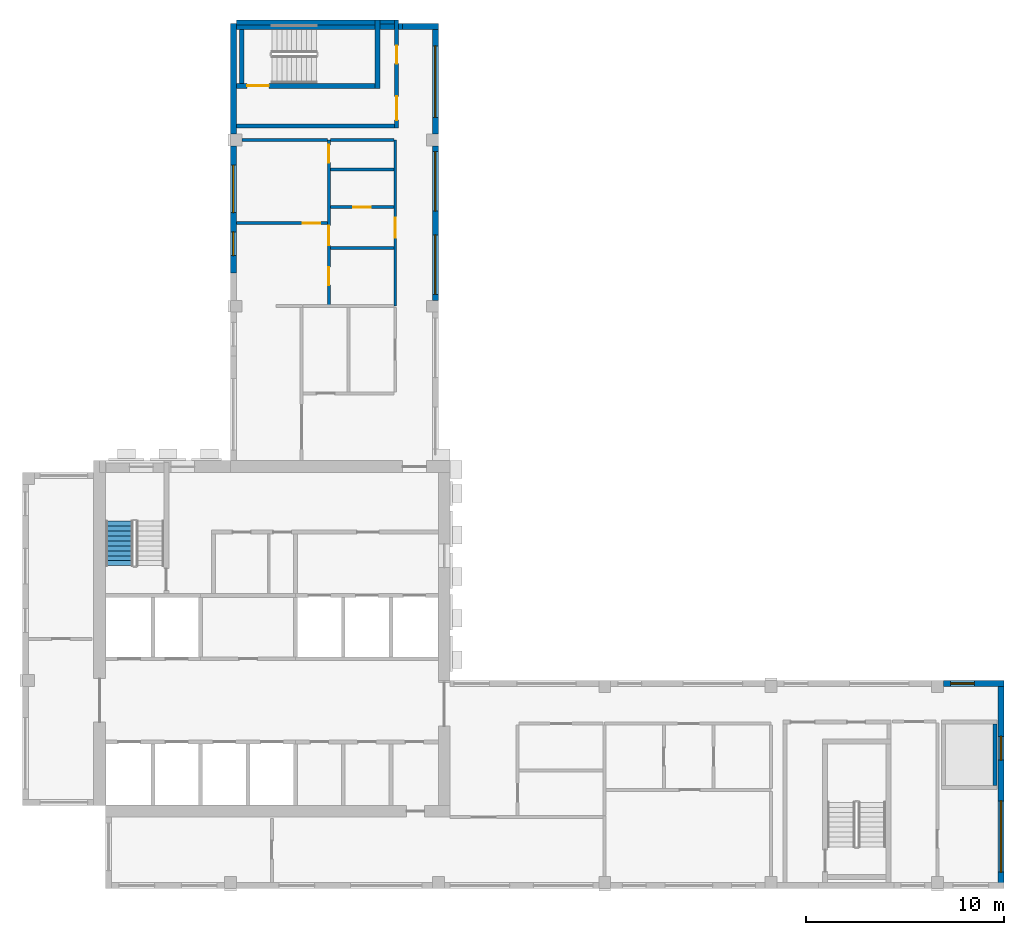
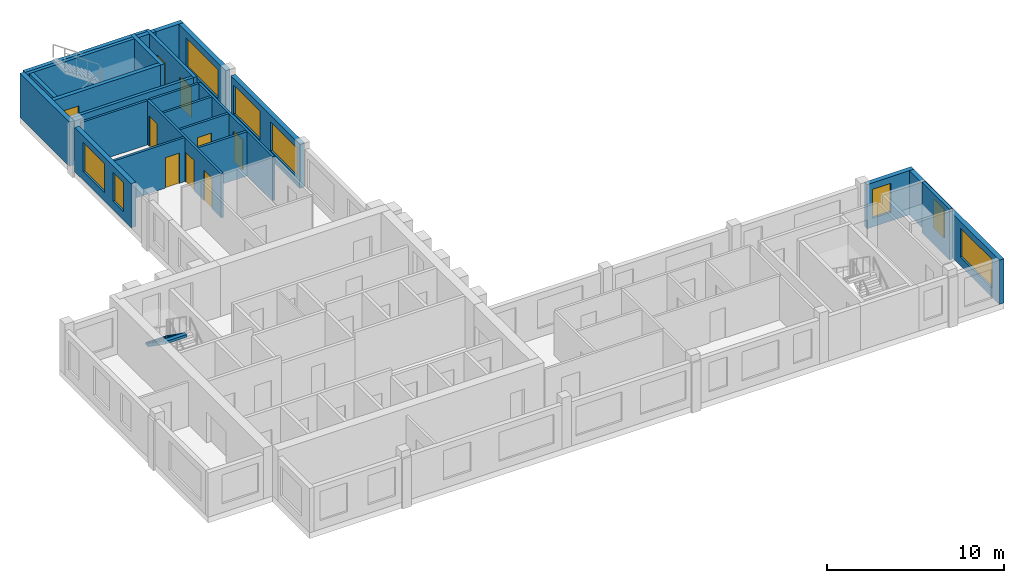
# One storey, part 5 of 10: 24 walls, 9 doors, 8 windows, 1 stair flight, 17 openings, 1 element without a shape of its own.
"""IFC4 building model written with IfcOpenShell, lengths in metres."""

from ifc_helpers import new_model, si_unit, direction, frame, frame_2d, origin, place, context, subcontext, project, spatial, polyline, rectangle, outline, extrude, source, transform, mapped, material, layer, layer_set, type_object, element, fill, aggregate, save


model = new_model("IFC4")

# Units and contexts
model_context = context("Model", 3, precision=1e-05, world=origin(), true_north=direction((0.0, 1.0)))
body_context = subcontext(model_context, "Body", "Model", "MODEL_VIEW")
ifc_project = project(units=[si_unit("LENGTHUNIT", "METRE"), si_unit("AREAUNIT", "SQUARE_METRE"), si_unit("VOLUMEUNIT", "CUBIC_METRE"), si_unit("PLANEANGLEUNIT", "RADIAN"), si_unit("MASSUNIT", "GRAM", prefix="KILO")], contexts=[model_context])

# Site, building, storey
site_placement = place(None, origin())
site = spatial("IfcSite", under=ifc_project, at=site_placement, CompositionType="ELEMENT")
building_placement = place(site_placement, origin())
building = spatial("IfcBuilding", under=site, at=building_placement, Name="Aurelian Terraces", CompositionType="ELEMENT")
storey_placement = place(building_placement, frame((0.0, 0.0, 365.0)))
storey = spatial("IfcBuildingStorey", under=building, at=storey_placement, Name="L87", CompositionType="ELEMENT", Elevation=365.0)

# Wall, openings, windows
ifc_material_1 = material(Name="Terracotta rainscreen cladding", Category="masonry")
ifc_layer_1 = layer(ifc_material_1, 0.3)
ifc_layer_set_1 = layer_set([ifc_layer_1], Name="EW-300")
wall_type_1 = type_object("IfcWallType", Name="EW-300", PredefinedType="STANDARD", material=ifc_layer_set_1)
wall_1_placement = place(storey_placement, frame((49.41, 0.0, 0.0), z_axis=(0.0, 0.0, 1.0), x_axis=(0.0, 1.0, 0.0)))
wall_1 = element("IfcWall", 1, at=wall_1_placement, inside=storey, type_object=wall_type_1, Name="External wall L87 F02.7", PredefinedType="STANDARD", context=body_context, shape_type="SweptSolid", body=[
    extrude(rectangle(XDim=10.5, YDim=0.3, at=frame_2d((5.25, 0.0))), origin(), (0.0, 0.0, 1.0), 3.05),
])
shared_shape_1 = source(origin(), body_context, "Body", "SweptSolid", [
    extrude(rectangle(XDim=3.6, YDim=2.0, at=frame_2d((1.8, 1.0))), frame((0.0, 0.16, 0.0), z_axis=(0.0, -1.0, 0.0), x_axis=(1.0, 0.0, 0.0)), (0.0, 0.0, 1.0), 0.32),
])
opening_1_placement = place(wall_1_placement, frame((0.825, 0.0, 0.6)))
opening_1 = element("IfcOpeningElement", 2, at=opening_1_placement, cuts=wall_1, Name="Opening W3620", PredefinedType="OPENING", context=body_context, shape_type="MappedRepresentation", body=[
    mapped(shared_shape_1, transform((0.0, 0.0, 0.0), scale=1.0)),
])
shared_shape_2 = source(origin(), body_context, "Body", "SweptSolid", [
    extrude(rectangle(XDim=1.2, YDim=2.0, at=frame_2d((0.6, 1.0))), frame((0.0, 0.16, 0.0), z_axis=(0.0, -1.0, 0.0), x_axis=(1.0, 0.0, 0.0)), (0.0, 0.0, 1.0), 0.32),
])
opening_2_placement = place(wall_1_placement, frame((6.4875, 0.0, 0.6)))
opening_2 = element("IfcOpeningElement", 3, at=opening_2_placement, cuts=wall_1, Name="Opening W1220", PredefinedType="OPENING", context=body_context, shape_type="MappedRepresentation", body=[
    mapped(shared_shape_2, transform((0.0, 0.0, 0.0), scale=1.0)),
])
ifc_material_2 = material(Name="Clear glazing", Category="glass")
window_type_1 = type_object("IfcWindowType", Name="W-1200x2000", PartitioningType="SINGLE_PANEL", PredefinedType="WINDOW", material=ifc_material_2)
shared_shape_3 = source(origin(), body_context, "Body", "SweptSolid", [
    extrude(rectangle(XDim=1.2, YDim=2.0, at=frame_2d((0.6, 1.0))), frame((0.0, 0.03, 0.0), z_axis=(0.0, -1.0, 0.0), x_axis=(1.0, 0.0, 0.0)), (0.0, 0.0, 1.0), 0.06),
])
window_1_placement = place(opening_2_placement, origin())
window_1 = element("IfcWindow", 4, at=window_1_placement, inside=storey, type_object=window_type_1, Name="Window L87 L87-F02-07-1", OverallHeight=2.0, OverallWidth=1.2, PartitioningType="SINGLE_PANEL", PredefinedType="WINDOW", context=body_context, shape_type="MappedRepresentation", body=[
    mapped(shared_shape_3, transform((0.0, 0.0, 0.0), scale=1.0)),
])
fill(opening_2, window_1)
window_type_2 = type_object("IfcWindowType", Name="W-3600x2000", PartitioningType="SINGLE_PANEL", PredefinedType="WINDOW", material=ifc_material_2)
shared_shape_4 = source(origin(), body_context, "Body", "SweptSolid", [
    extrude(rectangle(XDim=3.6, YDim=2.0, at=frame_2d((1.8, 1.0))), frame((0.0, 0.03, 0.0), z_axis=(0.0, -1.0, 0.0), x_axis=(1.0, 0.0, 0.0)), (0.0, 0.0, 1.0), 0.06),
])
window_2_placement = place(opening_1_placement, origin())
window_2 = element("IfcWindow", 5, at=window_2_placement, inside=storey, type_object=window_type_2, Name="Window L87 L87-F02-07-0", OverallHeight=2.0, OverallWidth=3.6, PartitioningType="SINGLE_PANEL", PredefinedType="WINDOW", context=body_context, shape_type="MappedRepresentation", body=[
    mapped(shared_shape_4, transform((0.0, 0.0, 0.0), scale=1.0)),
])
fill(opening_1, window_2)

# Wall, opening, window
wall_2_placement = place(storey_placement, frame((20.85, 38.1, 0.0), z_axis=(0.0, 0.0, 1.0), x_axis=(0.0, 1.0, 0.0)))
wall_2 = element("IfcWall", 6, at=wall_2_placement, inside=storey, type_object=wall_type_1, Name="External wall L87 F04.12", PredefinedType="STANDARD", context=body_context, shape_type="SweptSolid", body=[
    extrude(rectangle(XDim=5.58, YDim=0.3, at=frame_2d((2.79, 0.0))), origin(), (0.0, 0.0, 1.0), 3.05),
])
opening_3_placement = place(wall_2_placement, frame((0.84, 0.0, 0.6)))
opening_3 = element("IfcOpeningElement", 7, at=opening_3_placement, cuts=wall_2, Name="Opening W3620", PredefinedType="OPENING", context=body_context, shape_type="MappedRepresentation", body=[
    mapped(shared_shape_1, transform((0.0, 0.0, 0.0), scale=1.0)),
])
window_3_placement = place(opening_3_placement, origin())
window_3 = element("IfcWindow", 8, at=window_3_placement, inside=storey, type_object=window_type_2, Name="Window L87 L87-F04-12-0", OverallHeight=2.0, OverallWidth=3.6, PartitioningType="SINGLE_PANEL", PredefinedType="WINDOW", context=body_context, shape_type="MappedRepresentation", body=[
    mapped(shared_shape_4, transform((0.0, 0.0, 0.0), scale=1.0)),
])
fill(opening_3, window_3)

# Wall
wall_3_placement = place(storey_placement, frame((21.0, 43.53, 0.0), z_axis=(0.0, 0.0, 1.0), x_axis=(-1.0, 0.0, 0.0)))
element("IfcWall", 9, at=wall_3_placement, inside=storey, type_object=wall_type_1, Name="External wall L87 F05.13", PredefinedType="STANDARD", context=body_context, shape_type="SweptSolid", body=[
    extrude(rectangle(XDim=1.8, YDim=0.3, at=frame_2d((0.9, 0.0))), origin(), (0.0, 0.0, 1.0), 3.05),
])

# Wall, openings, windows
wall_4_placement = place(storey_placement, frame((10.65, 37.5, 0.0), z_axis=(0.0, 0.0, 1.0), x_axis=(0.0, -1.0, 0.0)))
wall_4 = element("IfcWall", 10, at=wall_4_placement, inside=storey, type_object=wall_type_1, Name="External wall L87 F06.14", PredefinedType="STANDARD", context=body_context, shape_type="SweptSolid", body=[
    extrude(rectangle(XDim=6.42, YDim=0.3, at=frame_2d((3.21, 0.0))), origin(), (0.0, 0.0, 1.0), 3.05),
])
opening_4_placement = place(wall_4_placement, frame((4.3475, 0.0, 0.6)))
opening_4 = element("IfcOpeningElement", 11, at=opening_4_placement, cuts=wall_4, Name="Opening W1220", PredefinedType="OPENING", context=body_context, shape_type="MappedRepresentation", body=[
    mapped(shared_shape_2, transform((0.0, 0.0, 0.0), scale=1.0)),
])
shared_shape_5 = source(origin(), body_context, "Body", "SweptSolid", [
    extrude(rectangle(XDim=2.4, YDim=2.0, at=frame_2d((1.2, 1.0))), frame((0.0, 0.16, 0.0), z_axis=(0.0, -1.0, 0.0), x_axis=(1.0, 0.0, 0.0)), (0.0, 0.0, 1.0), 0.32),
])
opening_5_placement = place(wall_4_placement, frame((0.9737, 0.0, 0.6)))
opening_5 = element("IfcOpeningElement", 12, at=opening_5_placement, cuts=wall_4, Name="Opening W2420", PredefinedType="OPENING", context=body_context, shape_type="MappedRepresentation", body=[
    mapped(shared_shape_5, transform((0.0, 0.0, 0.0), scale=1.0)),
])
window_4_placement = place(opening_4_placement, origin())
window_4 = element("IfcWindow", 13, at=window_4_placement, inside=storey, type_object=window_type_1, Name="Window L87 L87-F06-14-2", OverallHeight=2.0, OverallWidth=1.2, PartitioningType="SINGLE_PANEL", PredefinedType="WINDOW", context=body_context, shape_type="MappedRepresentation", body=[
    mapped(shared_shape_3, transform((0.0, 0.0, 0.0), scale=1.0)),
])
fill(opening_4, window_4)
window_type_3 = type_object("IfcWindowType", Name="W-2400x2000", PartitioningType="SINGLE_PANEL", PredefinedType="WINDOW", material=ifc_material_2)
shared_shape_6 = source(origin(), body_context, "Body", "SweptSolid", [
    extrude(rectangle(XDim=2.4, YDim=2.0, at=frame_2d((1.2, 1.0))), frame((0.0, 0.03, 0.0), z_axis=(0.0, -1.0, 0.0), x_axis=(1.0, 0.0, 0.0)), (0.0, 0.0, 1.0), 0.06),
])
window_5_placement = place(opening_5_placement, origin())
window_5 = element("IfcWindow", 14, at=window_5_placement, inside=storey, type_object=window_type_3, Name="Window L87 L87-F06-14-G1-62", OverallHeight=2.0, OverallWidth=2.4, PartitioningType="SINGLE_PANEL", PredefinedType="WINDOW", context=body_context, shape_type="MappedRepresentation", body=[
    mapped(shared_shape_6, transform((0.0, 0.0, 0.0), scale=1.0)),
])
fill(opening_5, window_5)

# Wall, opening, door
ifc_material_3 = material(Name="Gypsum board on steel studs", Category="steel")
ifc_layer_2 = layer(ifc_material_3, 0.15)
ifc_layer_set_2 = layer_set([ifc_layer_2], Name="Partition 150")
wall_type_2 = type_object("IfcWallType", Name="Partition 150", PredefinedType="PARTITIONING", material=ifc_layer_set_2)
wall_5_placement = place(storey_placement, frame((15.4, 33.6, 0.0), z_axis=(0.0, 0.0, 1.0), x_axis=(-1.0, 0.0, 0.0)))
wall_5 = element("IfcWall", 15, at=wall_5_placement, inside=storey, type_object=wall_type_2, Name="Partition", PredefinedType="PARTITIONING", context=body_context, shape_type="SweptSolid", body=[
    extrude(rectangle(XDim=4.6, YDim=0.15, at=frame_2d((2.3, 0.0))), origin(), (0.0, 0.0, 1.0), 3.05),
])
shared_shape_7 = source(origin(), body_context, "Body", "SweptSolid", [
    extrude(rectangle(XDim=0.9, YDim=2.1, at=frame_2d((0.45, 1.05))), frame((0.0, 0.085, 0.0), z_axis=(0.0, -1.0, 0.0), x_axis=(1.0, 0.0, 0.0)), (0.0, 0.0, 1.0), 0.17),
])
opening_6_placement = place(wall_5_placement, frame((0.35, 0.0, 0.0)))
opening_6 = element("IfcOpeningElement", 16, at=opening_6_placement, cuts=wall_5, Name="Opening 787020", PredefinedType="OPENING", context=body_context, shape_type="MappedRepresentation", body=[
    mapped(shared_shape_7, transform((0.0, 0.0, 0.0), scale=1.0)),
])
ifc_material_4 = material(Name="Timber door leaf", Category="wood")
door_type_1 = type_object("IfcDoorType", Name="Room door 900x2100 left", OperationType="SINGLE_SWING_LEFT", PredefinedType="DOOR", material=ifc_material_4)
shared_shape_8 = source(origin(), body_context, "Body", "SweptSolid", [
    extrude(rectangle(XDim=0.9, YDim=2.1, at=frame_2d((0.45, 1.05))), frame((0.0, 0.025, 0.0), z_axis=(0.0, -1.0, 0.0), x_axis=(1.0, 0.0, 0.0)), (0.0, 0.0, 1.0), 0.05),
])
door_1_placement = place(opening_6_placement, origin())
door_1 = element("IfcDoor", 17, at=door_1_placement, inside=storey, type_object=door_type_1, Name="Door 787020", OperationType="SINGLE_SWING_LEFT", OverallHeight=2.1, OverallWidth=0.9, PredefinedType="DOOR", context=body_context, shape_type="MappedRepresentation", body=[
    mapped(shared_shape_8, transform((0.0, 0.0, 0.0), scale=1.0)),
])
fill(opening_6, door_1)

# Walls
ifc_material_5 = material(Name="Concrete fc' 40 MPa", Category="concrete")
ifc_layer_3 = layer(ifc_material_5, 0.3)
ifc_layer_set_3 = layer_set([ifc_layer_3], Name="STAIR BAY WALL 300")
wall_type_3 = type_object("IfcWallType", Name="STAIR BAY WALL 300", PredefinedType="SOLIDWALL", material=ifc_layer_set_3)
wall_6_placement = place(storey_placement, frame((19.2, 43.53, 0.0), z_axis=(0.0, 0.0, 1.0), x_axis=(-1.0, 0.0, 0.0)))
element("IfcWall", 18, at=wall_6_placement, inside=storey, type_object=wall_type_3, Name="Stair bay wall L87 F05.13", PredefinedType="SOLIDWALL", context=body_context, shape_type="SweptSolid", body=[
    extrude(rectangle(XDim=8.6, YDim=0.3, at=frame_2d((4.3, 0.0))), origin(), (0.0, 0.0, 1.0), 3.05),
])
wall_7_placement = place(storey_placement, frame((10.65, 43.68, 0.0), z_axis=(0.0, 0.0, 1.0), x_axis=(0.0, -1.0, 0.0)))
element("IfcWall", 19, at=wall_7_placement, inside=storey, type_object=wall_type_3, Name="Stair bay wall L87 F06.14", PredefinedType="SOLIDWALL", context=body_context, shape_type="SweptSolid", body=[
    extrude(rectangle(XDim=5.58, YDim=0.3, at=frame_2d((2.79, 0.0))), origin(), (0.0, 0.0, 1.0), 3.05),
])
ifc_layer_4 = layer(ifc_material_5, 0.25)
ifc_layer_set_4 = layer_set([ifc_layer_4], Name="Stair enclosure wall 250")
wall_type_4 = type_object("IfcWallType", Name="Stair enclosure wall 250", PredefinedType="SOLIDWALL", material=ifc_layer_set_4)
wall_8_placement = place(storey_placement, frame((11.075, 40.65, 0.0), z_axis=(0.0, 0.0, 1.0), x_axis=(0.0, 1.0, 0.0)))
element("IfcWall", 20, at=wall_8_placement, inside=storey, type_object=wall_type_4, Name="L87 core wall ST-S3U-SS", PredefinedType="SOLIDWALL", context=body_context, shape_type="SweptSolid", body=[
    extrude(rectangle(XDim=2.73, YDim=0.25, at=frame_2d((1.365, 0.0))), origin(), (0.0, 0.0, 1.0), 3.05),
])

# Wall, openings, windows
shared_shape_9 = source(origin(), body_context, "Body", "SweptSolid", [
    extrude(rectangle(XDim=7.8, YDim=0.3, at=frame_2d((3.9, 0.0))), origin(), (0.0, 0.0, 1.0), 3.05),
])
wall_9_placement = place(storey_placement, frame((20.85, 29.7, 0.0), z_axis=(0.0, 0.0, 1.0), x_axis=(0.0, 1.0, 0.0)))
wall_9 = element("IfcWall", 21, at=wall_9_placement, inside=storey, type_object=wall_type_1, Name="External wall L87 F04.11", PredefinedType="STANDARD", context=body_context, shape_type="MappedRepresentation", body=[
    mapped(shared_shape_9, transform((0.0, 0.0, 0.0), scale=1.0)),
])
shared_shape_10 = source(origin(), body_context, "Body", "SweptSolid", [
    extrude(rectangle(XDim=3.0, YDim=2.0, at=frame_2d((1.5, 1.0))), frame((0.0, 0.16, 0.0), z_axis=(0.0, -1.0, 0.0), x_axis=(1.0, 0.0, 0.0)), (0.0, 0.0, 1.0), 0.32),
])
opening_7_placement = place(wall_9_placement, frame((0.3, 0.0, 0.6)))
opening_7 = element("IfcOpeningElement", 22, at=opening_7_placement, cuts=wall_9, Name="Opening W3020", PredefinedType="OPENING", context=body_context, shape_type="MappedRepresentation", body=[
    mapped(shared_shape_10, transform((0.0, 0.0, 0.0), scale=1.0)),
])
opening_8_placement = place(wall_9_placement, frame((4.5, 0.0, 0.6)))
opening_8 = element("IfcOpeningElement", 23, at=opening_8_placement, cuts=wall_9, Name="Opening W3020", PredefinedType="OPENING", context=body_context, shape_type="MappedRepresentation", body=[
    mapped(shared_shape_10, transform((0.0, 0.0, 0.0), scale=1.0)),
])
window_type_4 = type_object("IfcWindowType", Name="W-3000x2000", PartitioningType="SINGLE_PANEL", PredefinedType="WINDOW", material=ifc_material_2)
shared_shape_11 = source(origin(), body_context, "Body", "SweptSolid", [
    extrude(rectangle(XDim=3.0, YDim=2.0, at=frame_2d((1.5, 1.0))), frame((0.0, 0.03, 0.0), z_axis=(0.0, -1.0, 0.0), x_axis=(1.0, 0.0, 0.0)), (0.0, 0.0, 1.0), 0.06),
])
window_6_placement = place(opening_7_placement, origin())
window_6 = element("IfcWindow", 24, at=window_6_placement, inside=storey, type_object=window_type_4, Name="Window L87 L87-F04-11-0", OverallHeight=2.0, OverallWidth=3.0, PartitioningType="SINGLE_PANEL", PredefinedType="WINDOW", context=body_context, shape_type="MappedRepresentation", body=[
    mapped(shared_shape_11, transform((0.0, 0.0, 0.0), scale=1.0)),
])
fill(opening_7, window_6)
window_7_placement = place(opening_8_placement, origin())
window_7 = element("IfcWindow", 25, at=window_7_placement, inside=storey, type_object=window_type_4, Name="Window L87 L87-F04-11-1", OverallHeight=2.0, OverallWidth=3.0, PartitioningType="SINGLE_PANEL", PredefinedType="WINDOW", context=body_context, shape_type="MappedRepresentation", body=[
    mapped(shared_shape_11, transform((0.0, 0.0, 0.0), scale=1.0)),
])
fill(opening_8, window_7)

# Wall, opening, window
shared_shape_12 = source(origin(), body_context, "Body", "SweptSolid", [
    extrude(rectangle(XDim=3.06, YDim=0.3, at=frame_2d((1.53, 0.0))), origin(), (0.0, 0.0, 1.0), 3.05),
])
wall_10_placement = place(storey_placement, frame((49.56, 10.35, 0.0), z_axis=(0.0, 0.0, 1.0), x_axis=(-1.0, 0.0, 0.0)))
wall_10 = element("IfcWall", 26, at=wall_10_placement, inside=storey, type_object=wall_type_1, Name="External wall L87 F03.8", PredefinedType="STANDARD", context=body_context, shape_type="MappedRepresentation", body=[
    mapped(shared_shape_12, transform((0.0, 0.0, 0.0), scale=1.0)),
])
opening_9_placement = place(wall_10_placement, frame((1.5, 0.0, 0.6)))
opening_9 = element("IfcOpeningElement", 27, at=opening_9_placement, cuts=wall_10, Name="Opening W1220", PredefinedType="OPENING", context=body_context, shape_type="MappedRepresentation", body=[
    mapped(shared_shape_2, transform((0.0, 0.0, 0.0), scale=1.0)),
])
window_8_placement = place(opening_9_placement, origin())
window_8 = element("IfcWindow", 28, at=window_8_placement, inside=storey, type_object=window_type_1, Name="Window L87 L87-F03-08-0", OverallHeight=2.0, OverallWidth=1.2, PartitioningType="SINGLE_PANEL", PredefinedType="WINDOW", context=body_context, shape_type="MappedRepresentation", body=[
    mapped(shared_shape_3, transform((0.0, 0.0, 0.0), scale=1.0)),
])
fill(opening_9, window_8)

# Wall
ifc_layer_5 = layer(ifc_material_5, 0.2)
ifc_layer_set_5 = layer_set([ifc_layer_5], Name="Lift shaft wall 200")
wall_type_5 = type_object("IfcWallType", Name="Lift shaft wall 200", PredefinedType="SOLIDWALL", material=ifc_layer_set_5)
shared_shape_13 = source(origin(), body_context, "Body", "SweptSolid", [
    extrude(rectangle(XDim=3.1, YDim=0.2, at=frame_2d((1.55, 0.0))), origin(), (0.0, 0.0, 1.0), 3.5),
])
wall_11_placement = place(storey_placement, frame((49.1, 5.2, 0.0), z_axis=(0.0, 0.0, 1.0), x_axis=(0.0, 1.0, 0.0)))
element("IfcWall", 29, at=wall_11_placement, inside=storey, type_object=wall_type_5, Name="L87 core wall SV-E", PredefinedType="SOLIDWALL", context=body_context, shape_type="MappedRepresentation", body=[
    mapped(shared_shape_13, transform((0.0, 0.0, 0.0), scale=1.0)),
])

# Wall, opening, door
shared_shape_14 = source(origin(), body_context, "Body", "SweptSolid", [
    extrude(rectangle(XDim=7.0, YDim=0.25, at=frame_2d((3.5, 0.0))), origin(), (0.0, 0.0, 1.0), 3.05),
])
wall_12_placement = place(storey_placement, frame((10.8, 40.525, 0.0), z_axis=(0.0, 0.0, 1.0), x_axis=(1.0, 0.0, 0.0)))
wall_12 = element("IfcWall", 30, at=wall_12_placement, inside=storey, type_object=wall_type_4, Name="L87 core wall ST-S3U-W", PredefinedType="SOLIDWALL", context=body_context, shape_type="MappedRepresentation", body=[
    mapped(shared_shape_14, transform((0.0, 0.0, 0.0), scale=1.0)),
])
shared_shape_15 = source(origin(), body_context, "Body", "SweptSolid", [
    extrude(rectangle(XDim=1.1, YDim=2.1, at=frame_2d((0.55, 1.05))), frame((0.0, 0.135, 0.0), z_axis=(0.0, -1.0, 0.0), x_axis=(1.0, 0.0, 0.0)), (0.0, 0.0, 1.0), 0.27),
])
opening_10_placement = place(wall_12_placement, frame((0.55, 0.0, 0.0)))
opening_10 = element("IfcOpeningElement", 31, at=opening_10_placement, cuts=wall_12, Name="Opening 69020", PredefinedType="OPENING", context=body_context, shape_type="MappedRepresentation", body=[
    mapped(shared_shape_15, transform((0.0, 0.0, 0.0), scale=1.0)),
])
ifc_material_6 = material(Name="Steel door leaf", Category="steel")
door_type_2 = type_object("IfcDoorType", Name="Core fire door 1100x2100", OperationType="SINGLE_SWING_LEFT", PredefinedType="DOOR", material=ifc_material_6)
shared_shape_16 = source(origin(), body_context, "Body", "SweptSolid", [
    extrude(rectangle(XDim=1.1, YDim=2.1, at=frame_2d((0.55, 1.05))), frame((0.0, 0.025, 0.0), z_axis=(0.0, -1.0, 0.0), x_axis=(1.0, 0.0, 0.0)), (0.0, 0.0, 1.0), 0.05),
])
door_2_placement = place(opening_10_placement, origin())
door_2 = element("IfcDoor", 32, at=door_2_placement, inside=storey, type_object=door_type_2, Name="Stair door 69020", OperationType="SINGLE_SWING_LEFT", OverallHeight=2.1, OverallWidth=1.1, PredefinedType="DOOR", context=body_context, shape_type="MappedRepresentation", body=[
    mapped(shared_shape_16, transform((0.0, 0.0, 0.0), scale=1.0)),
])
fill(opening_10, door_2)

# Walls
wall_13_placement = place(storey_placement, frame((10.8, 43.725, 0.0), z_axis=(0.0, 0.0, 1.0), x_axis=(1.0, 0.0, 0.0)))
element("IfcWall", 33, at=wall_13_placement, inside=storey, type_object=wall_type_4, Name="L87 core wall ST-S3U-E", PredefinedType="SOLIDWALL", context=body_context, shape_type="MappedRepresentation", body=[
    mapped(shared_shape_14, transform((0.0, 0.0, 0.0), scale=1.0)),
])
shared_shape_17 = source(origin(), body_context, "Body", "SweptSolid", [
    extrude(rectangle(XDim=3.45, YDim=0.25, at=frame_2d((1.725, 0.0))), origin(), (0.0, 0.0, 1.0), 3.05),
])
wall_14_placement = place(storey_placement, frame((17.925, 40.4, 0.0), z_axis=(0.0, 0.0, 1.0), x_axis=(0.0, 1.0, 0.0)))
element("IfcWall", 34, at=wall_14_placement, inside=storey, type_object=wall_type_4, Name="L87 core wall ST-S3U-N", PredefinedType="SOLIDWALL", context=body_context, shape_type="MappedRepresentation", body=[
    mapped(shared_shape_17, transform((0.0, 0.0, 0.0), scale=1.0)),
])
ifc_layer_6 = layer(ifc_material_3, 0.2)
ifc_layer_set_6 = layer_set([ifc_layer_6], Name="Core partition 200")
wall_type_6 = type_object("IfcWallType", Name="Core partition 200", PredefinedType="PARTITIONING", material=ifc_layer_set_6)
shared_shape_18 = source(origin(), body_context, "Body", "SweptSolid", [
    extrude(rectangle(XDim=8.0, YDim=0.2, at=frame_2d((4.0, 0.0))), origin(), (0.0, 0.0, 1.0), 3.05),
])
wall_15_placement = place(storey_placement, frame((10.8, 38.5, 0.0), z_axis=(0.0, 0.0, 1.0), x_axis=(1.0, 0.0, 0.0)))
element("IfcWall", 35, at=wall_15_placement, inside=storey, type_object=wall_type_6, Name="L87 core wall ST-S3U-VW", PredefinedType="PARTITIONING", context=body_context, shape_type="MappedRepresentation", body=[
    mapped(shared_shape_18, transform((0.0, 0.0, 0.0), scale=1.0)),
])

# Wall, openings, doors
shared_shape_19 = source(origin(), body_context, "Body", "SweptSolid", [
    extrude(rectangle(XDim=5.45, YDim=0.2, at=frame_2d((2.725, 0.0))), origin(), (0.0, 0.0, 1.0), 3.05),
])
wall_16_placement = place(storey_placement, frame((18.9, 38.4, 0.0), z_axis=(0.0, 0.0, 1.0), x_axis=(0.0, 1.0, 0.0)))
wall_16 = element("IfcWall", 36, at=wall_16_placement, inside=storey, type_object=wall_type_6, Name="L87 core wall ST-S3U-BN", PredefinedType="PARTITIONING", context=body_context, shape_type="MappedRepresentation", body=[
    mapped(shared_shape_19, transform((0.0, 0.0, 0.0), scale=1.0)),
])
shared_shape_20 = source(origin(), body_context, "Body", "SweptSolid", [
    extrude(rectangle(XDim=1.2, YDim=2.1, at=frame_2d((0.6, 1.05))), frame((0.0, 0.11, 0.0), z_axis=(0.0, -1.0, 0.0), x_axis=(1.0, 0.0, 0.0)), (0.0, 0.0, 1.0), 0.22),
])
opening_11_placement = place(wall_16_placement, frame((0.4, 0.0, 0.0)))
opening_11 = element("IfcOpeningElement", 37, at=opening_11_placement, cuts=wall_16, Name="Opening 69021", PredefinedType="OPENING", context=body_context, shape_type="MappedRepresentation", body=[
    mapped(shared_shape_20, transform((0.0, 0.0, 0.0), scale=1.0)),
])
shared_shape_21 = source(origin(), body_context, "Body", "SweptSolid", [
    extrude(rectangle(XDim=0.9, YDim=2.1, at=frame_2d((0.45, 1.05))), frame((0.0, 0.11, 0.0), z_axis=(0.0, -1.0, 0.0), x_axis=(1.0, 0.0, 0.0)), (0.0, 0.0, 1.0), 0.22),
])
opening_12_placement = place(wall_16_placement, frame((3.25, 0.0, 0.0)))
opening_12 = element("IfcOpeningElement", 38, at=opening_12_placement, cuts=wall_16, Name="Opening 69022", PredefinedType="OPENING", context=body_context, shape_type="MappedRepresentation", body=[
    mapped(shared_shape_21, transform((0.0, 0.0, 0.0), scale=1.0)),
])
door_type_3 = type_object("IfcDoorType", Name="Core riser door 900x2100", OperationType="SINGLE_SWING_LEFT", PredefinedType="DOOR", material=ifc_material_6)
door_3_placement = place(opening_12_placement, origin())
door_3 = element("IfcDoor", 39, at=door_3_placement, inside=storey, type_object=door_type_3, Name="Riser door 69022", OperationType="SINGLE_SWING_LEFT", OverallHeight=2.1, OverallWidth=0.9, PredefinedType="DOOR", context=body_context, shape_type="MappedRepresentation", body=[
    mapped(shared_shape_8, transform((0.0, 0.0, 0.0), scale=1.0)),
])
fill(opening_12, door_3)
door_type_4 = type_object("IfcDoorType", Name="Core fire door 1200x2100 right", OperationType="SINGLE_SWING_RIGHT", PredefinedType="DOOR", material=ifc_material_6)
shared_shape_22 = source(origin(), body_context, "Body", "SweptSolid", [
    extrude(rectangle(XDim=1.2, YDim=2.1, at=frame_2d((0.6, 1.05))), frame((0.0, 0.025, 0.0), z_axis=(0.0, -1.0, 0.0), x_axis=(1.0, 0.0, 0.0)), (0.0, 0.0, 1.0), 0.05),
])
door_4_placement = place(opening_11_placement, origin())
door_4 = element("IfcDoor", 40, at=door_4_placement, inside=storey, type_object=door_type_4, Name="Vestibule door 69021", OperationType="SINGLE_SWING_RIGHT", OverallHeight=2.1, OverallWidth=1.2, PredefinedType="DOOR", context=body_context, shape_type="MappedRepresentation", body=[
    mapped(shared_shape_22, transform((0.0, 0.0, 0.0), scale=1.0)),
])
fill(opening_11, door_4)

# Walls
shared_shape_23 = source(origin(), body_context, "Body", "SweptSolid", [
    extrude(rectangle(XDim=0.75, YDim=0.2, at=frame_2d((0.375, 0.0))), origin(), (0.0, 0.0, 1.0), 3.05),
])
wall_17_placement = place(storey_placement, frame((18.05, 43.75, 0.0), z_axis=(0.0, 0.0, 1.0), x_axis=(1.0, 0.0, 0.0)))
element("IfcWall", 41, at=wall_17_placement, inside=storey, type_object=wall_type_6, Name="L87 core wall ST-S3U-RE", PredefinedType="PARTITIONING", context=body_context, shape_type="MappedRepresentation", body=[
    mapped(shared_shape_23, transform((0.0, 0.0, 0.0), scale=1.0)),
])
shared_shape_24 = source(origin(), body_context, "Body", "SweptSolid", [
    extrude(rectangle(XDim=3.2, YDim=0.15, at=frame_2d((1.6, 0.0))), origin(), (0.0, 0.0, 1.0), 3.05),
])
wall_18_placement = place(storey_placement, frame((18.75, 32.335, 0.0), z_axis=(0.0, 0.0, 1.0), x_axis=(-1.0, 0.0, 0.0)))
element("IfcWall", 42, at=wall_18_placement, inside=storey, type_object=wall_type_2, Name="Partition", PredefinedType="PARTITIONING", context=body_context, shape_type="MappedRepresentation", body=[
    mapped(shared_shape_24, transform((0.0, 0.0, 0.0), scale=1.0)),
])

# Wall, opening, door
wall_19_placement = place(storey_placement, frame((18.75, 34.3983, 0.0), z_axis=(0.0, 0.0, 1.0), x_axis=(-1.0, 0.0, 0.0)))
wall_19 = element("IfcWall", 43, at=wall_19_placement, inside=storey, type_object=wall_type_2, Name="Partition", PredefinedType="PARTITIONING", context=body_context, shape_type="MappedRepresentation", body=[
    mapped(shared_shape_24, transform((0.0, 0.0, 0.0), scale=1.0)),
])
opening_13_placement = place(wall_19_placement, frame((1.15, 0.0, 0.0)))
opening_13 = element("IfcOpeningElement", 44, at=opening_13_placement, cuts=wall_19, Name="Opening 787018", PredefinedType="OPENING", context=body_context, shape_type="MappedRepresentation", body=[
    mapped(shared_shape_7, transform((0.0, 0.0, 0.0), scale=1.0)),
])
door_5_placement = place(opening_13_placement, origin())
door_5 = element("IfcDoor", 45, at=door_5_placement, inside=storey, type_object=door_type_1, Name="Door 787018", OperationType="SINGLE_SWING_LEFT", OverallHeight=2.1, OverallWidth=0.9, PredefinedType="DOOR", context=body_context, shape_type="MappedRepresentation", body=[
    mapped(shared_shape_8, transform((0.0, 0.0, 0.0), scale=1.0)),
])
fill(opening_13, door_5)

# Walls
wall_20_placement = place(storey_placement, frame((18.75, 36.3029, 0.0), z_axis=(0.0, 0.0, 1.0), x_axis=(-1.0, 0.0, 0.0)))
element("IfcWall", 46, at=wall_20_placement, inside=storey, type_object=wall_type_2, Name="Partition", PredefinedType="PARTITIONING", context=body_context, shape_type="MappedRepresentation", body=[
    mapped(shared_shape_24, transform((0.0, 0.0, 0.0), scale=1.0)),
])
ifc_layer_7 = layer(ifc_material_3, 0.15)
ifc_layer_set_7 = layer_set([ifc_layer_7], Name="Fire partition 150")
wall_type_7 = type_object("IfcWallType", Name="Fire partition 150", PredefinedType="PARTITIONING", material=ifc_layer_set_7)
wall_21_placement = place(storey_placement, frame((18.75, 37.8, 0.0), z_axis=(0.0, 0.0, 1.0), x_axis=(-1.0, 0.0, 0.0)))
element("IfcWall", 47, at=wall_21_placement, inside=storey, type_object=wall_type_7, Name="Party wall", PredefinedType="PARTITIONING", context=body_context, shape_type="MappedRepresentation", body=[
    mapped(shared_shape_24, transform((0.0, 0.0, 0.0), scale=1.0)),
])

# Wall, openings, doors
shared_shape_25 = source(origin(), body_context, "Body", "SweptSolid", [
    extrude(rectangle(XDim=8.4, YDim=0.15, at=frame_2d((4.2, 0.0))), origin(), (0.0, 0.0, 1.0), 3.05),
])
wall_22_placement = place(storey_placement, frame((15.475, 29.4, 0.0), z_axis=(0.0, 0.0, 1.0), x_axis=(0.0, 1.0, 0.0)))
wall_22 = element("IfcWall", 48, at=wall_22_placement, inside=storey, type_object=wall_type_2, Name="Partition", PredefinedType="PARTITIONING", context=body_context, shape_type="MappedRepresentation", body=[
    mapped(shared_shape_25, transform((0.0, 0.0, 0.0), scale=1.0)),
])
shared_shape_26 = source(origin(), body_context, "Body", "SweptSolid", [
    extrude(rectangle(XDim=1.0, YDim=2.1, at=frame_2d((0.5, 1.05))), frame((0.0, 0.085, 0.0), z_axis=(0.0, -1.0, 0.0), x_axis=(1.0, 0.0, 0.0)), (0.0, 0.0, 1.0), 0.17),
])
opening_14_placement = place(wall_22_placement, frame((3.068, 0.0, 0.0)))
opening_14 = element("IfcOpeningElement", 49, at=opening_14_placement, cuts=wall_22, Name="Opening 787016", PredefinedType="OPENING", context=body_context, shape_type="MappedRepresentation", body=[
    mapped(shared_shape_26, transform((0.0, 0.0, 0.0), scale=1.0)),
])
opening_15_placement = place(wall_22_placement, frame((1.0675, 0.0, 0.0)))
opening_15 = element("IfcOpeningElement", 50, at=opening_15_placement, cuts=wall_22, Name="Opening 787017", PredefinedType="OPENING", context=body_context, shape_type="MappedRepresentation", body=[
    mapped(shared_shape_7, transform((0.0, 0.0, 0.0), scale=1.0)),
])
opening_16_placement = place(wall_22_placement, frame((7.2515, 0.0, 0.0)))
opening_16 = element("IfcOpeningElement", 51, at=opening_16_placement, cuts=wall_22, Name="Opening 787019", PredefinedType="OPENING", context=body_context, shape_type="MappedRepresentation", body=[
    mapped(shared_shape_7, transform((0.0, 0.0, 0.0), scale=1.0)),
])
door_type_5 = type_object("IfcDoorType", Name="Room door 1000x2100 left", OperationType="SINGLE_SWING_LEFT", PredefinedType="DOOR", material=ifc_material_4)
shared_shape_27 = source(origin(), body_context, "Body", "SweptSolid", [
    extrude(rectangle(XDim=1.0, YDim=2.1, at=frame_2d((0.5, 1.05))), frame((0.0, 0.025, 0.0), z_axis=(0.0, -1.0, 0.0), x_axis=(1.0, 0.0, 0.0)), (0.0, 0.0, 1.0), 0.05),
])
door_6_placement = place(opening_14_placement, origin())
door_6 = element("IfcDoor", 52, at=door_6_placement, inside=storey, type_object=door_type_5, Name="Door 787016", OperationType="SINGLE_SWING_LEFT", OverallHeight=2.1, OverallWidth=1.0, PredefinedType="DOOR", context=body_context, shape_type="MappedRepresentation", body=[
    mapped(shared_shape_27, transform((0.0, 0.0, 0.0), scale=1.0)),
])
fill(opening_14, door_6)
door_type_6 = type_object("IfcDoorType", Name="Room door 900x2100 right", OperationType="SINGLE_SWING_RIGHT", PredefinedType="DOOR", material=ifc_material_4)
door_7_placement = place(opening_15_placement, origin())
door_7 = element("IfcDoor", 53, at=door_7_placement, inside=storey, type_object=door_type_6, Name="Door 787017", OperationType="SINGLE_SWING_RIGHT", OverallHeight=2.1, OverallWidth=0.9, PredefinedType="DOOR", context=body_context, shape_type="MappedRepresentation", body=[
    mapped(shared_shape_8, transform((0.0, 0.0, 0.0), scale=1.0)),
])
fill(opening_15, door_7)
door_8_placement = place(opening_16_placement, origin())
door_8 = element("IfcDoor", 54, at=door_8_placement, inside=storey, type_object=door_type_6, Name="Door 787019", OperationType="SINGLE_SWING_RIGHT", OverallHeight=2.1, OverallWidth=0.9, PredefinedType="DOOR", context=body_context, shape_type="MappedRepresentation", body=[
    mapped(shared_shape_8, transform((0.0, 0.0, 0.0), scale=1.0)),
])
fill(opening_16, door_8)

# Wall, opening, door
wall_23_placement = place(storey_placement, frame((18.825, 29.4, 0.0), z_axis=(0.0, 0.0, 1.0), x_axis=(0.0, 1.0, 0.0)))
wall_23 = element("IfcWall", 55, at=wall_23_placement, inside=storey, type_object=wall_type_7, Name="Corridor wall", PredefinedType="PARTITIONING", context=body_context, shape_type="MappedRepresentation", body=[
    mapped(shared_shape_25, transform((0.0, 0.0, 0.0), scale=1.0)),
])
opening_17_placement = place(wall_23_placement, frame((3.4667, 0.0, 0.0)))
opening_17 = element("IfcOpeningElement", 56, at=opening_17_placement, cuts=wall_23, Name="Opening 787015", PredefinedType="OPENING", context=body_context, shape_type="MappedRepresentation", body=[
    mapped(shared_shape_26, transform((0.0, 0.0, 0.0), scale=1.0)),
])
door_type_7 = type_object("IfcDoorType", Name="Entrance fire door 1000x2100 right", OperationType="SINGLE_SWING_RIGHT", PredefinedType="DOOR", material=ifc_material_6)
door_9_placement = place(opening_17_placement, origin())
door_9 = element("IfcDoor", 57, at=door_9_placement, inside=storey, type_object=door_type_7, Name="Door 787015", OperationType="SINGLE_SWING_RIGHT", OverallHeight=2.1, OverallWidth=1.0, PredefinedType="DOOR", context=body_context, shape_type="MappedRepresentation", body=[
    mapped(shared_shape_27, transform((0.0, 0.0, 0.0), scale=1.0)),
])
fill(opening_17, door_9)

# Wall
shared_shape_28 = source(origin(), body_context, "Body", "SweptSolid", [
    extrude(rectangle(XDim=4.301, YDim=0.15, at=frame_2d((2.1505, 0.0))), origin(), (0.0, 0.0, 1.0), 3.05),
])
wall_24_placement = place(storey_placement, frame((15.4, 37.8, 0.0), z_axis=(0.0, 0.0, 1.0), x_axis=(-1.0, 0.0, 0.0)))
element("IfcWall", 58, at=wall_24_placement, inside=storey, type_object=wall_type_7, Name="Party wall", PredefinedType="PARTITIONING", context=body_context, shape_type="MappedRepresentation", body=[
    mapped(shared_shape_28, transform((0.0, 0.0, 0.0), scale=1.0)),
])

# Stair, stair flight
stair_type = type_object("IfcStairType", Name="Stair 1400", PredefinedType="HALF_TURN_STAIR", material=ifc_material_5)
stair_placement = place(storey_placement, origin())
stair = element("IfcStair", 59, at=stair_placement, inside=storey, type_object=stair_type, Name="L87 S1", PredefinedType="HALF_TURN_STAIR")
stair_flight_type = type_object("IfcStairFlightType", Name="Stair flight 1400", PredefinedType="STRAIGHT", material=ifc_material_5)
shared_shape_29 = source(origin(), body_context, "Body", "SweptSolid", [
    extrude(outline(polyline([(0.0, 0.0), (0.0, 0.175), (0.25, 0.175), (0.25, 0.35), (0.5, 0.35), (0.5, 0.525), (0.75, 0.525), (0.75, 0.7), (1.0, 0.7), (1.0, 0.875), (1.25, 0.875), (1.25, 1.05), (1.5, 1.05), (1.5, 1.225), (1.75, 1.225), (1.75, 1.4), (2.0, 1.4), (2.0, 1.575), (2.25, 1.575), (2.25, 1.75), (2.25, 1.3919), (0.2616, 0.0), (0.0, 0.0)])), frame((0.0, 0.7, 0.0), z_axis=(0.0, -1.0, 0.0), x_axis=(1.0, 0.0, 0.0)), (0.0, 0.0, 1.0), 1.4),
])
stair_flight_placement = place(storey_placement, frame((4.9, 18.55, 1.75000002), z_axis=(0.0, 0.0, 1.0), x_axis=(0.0, -1.0, 0.0)))
stair_flight = element("IfcStairFlight", 60, at=stair_flight_placement, type_object=stair_flight_type, Name="S1 flight 2", NumberOfRisers=10, NumberOfTreads=9, PredefinedType="STRAIGHT", RiserHeight=0.175, TreadLength=0.25, context=body_context, shape_type="MappedRepresentation", body=[
    mapped(shared_shape_29, transform((0.0, 0.0, 0.0), scale=1.0)),
])
aggregate(stair, [stair_flight])

save(model, "model.ifc")
